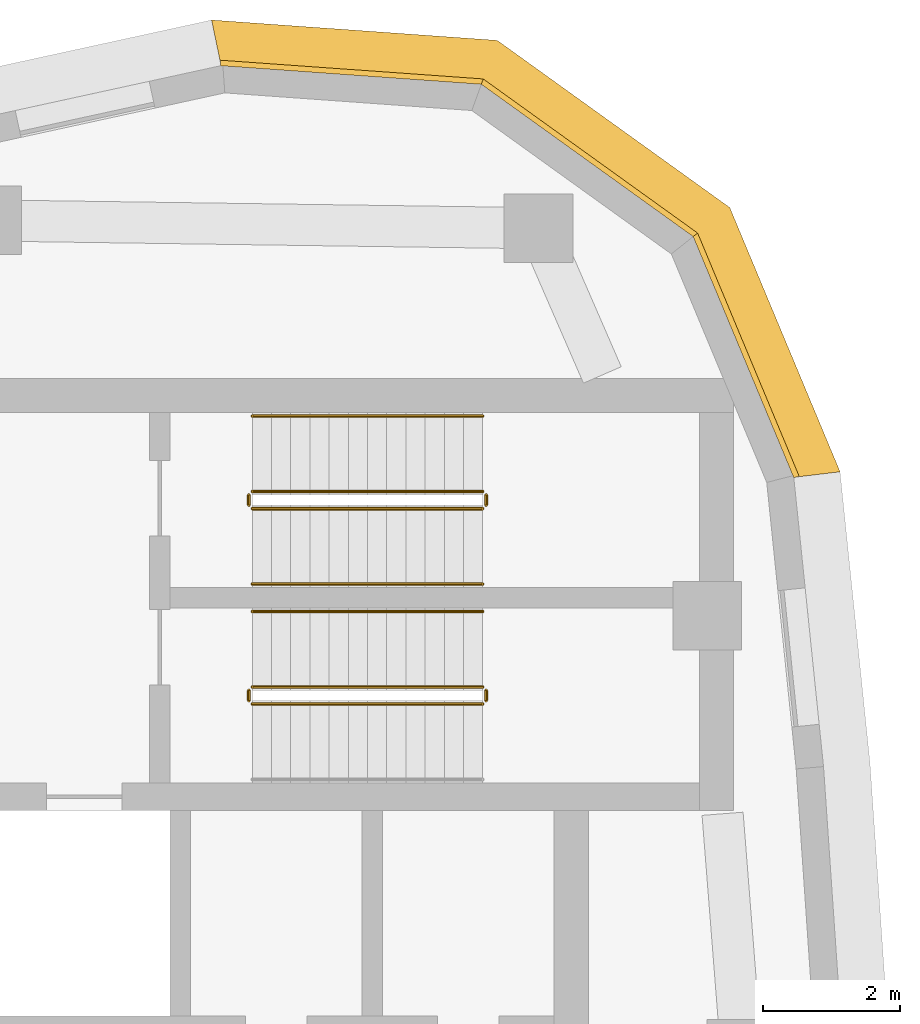
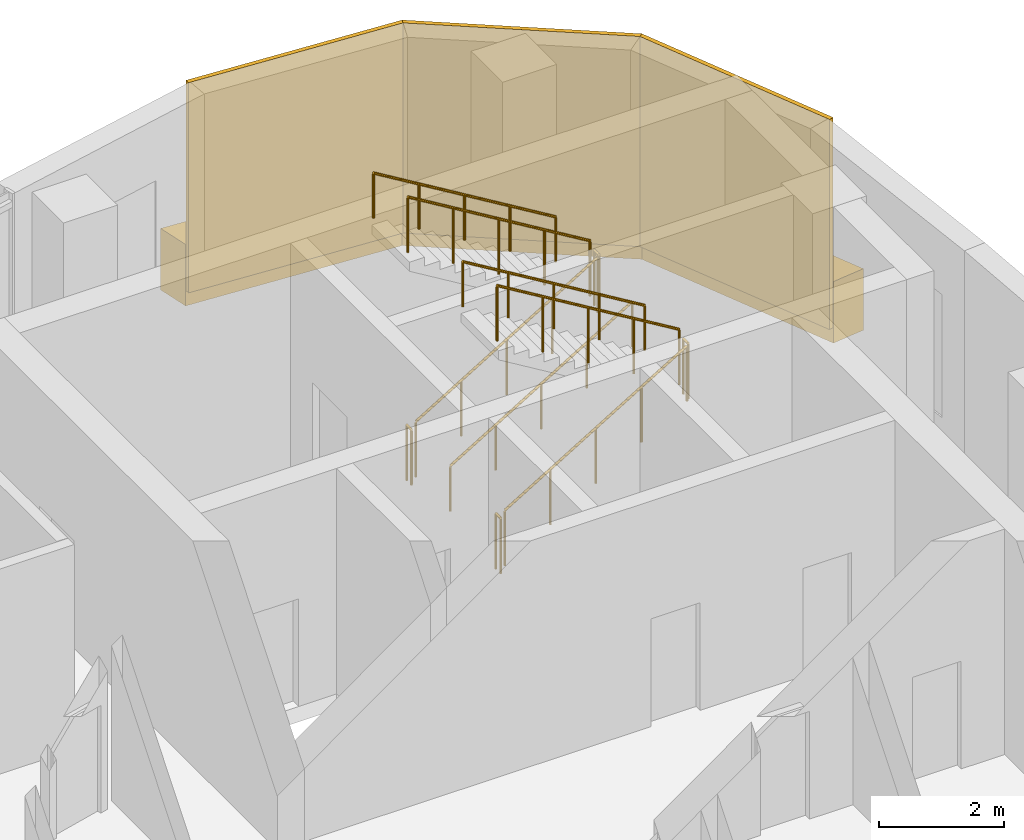
# One storey, part 14 of 15: 11 railings, 4 coverings.
"""IFC4 building model written with IfcOpenShell, lengths in metres."""

from ifc_helpers import new_model, si_unit, direction, frame, origin, origin_2d, place, context, subcontext, project, spatial, polyline, circle, outline, extrude, material, layer, layer_set, type_object, element, save


model = new_model("IFC4")

# Units and contexts
model_context = context("Model", 3, precision=1e-05, world=origin(), true_north=direction((0.0, 1.0)))
body_context = subcontext(model_context, "Body", "Model", "MODEL_VIEW")
ifc_project = project(units=[si_unit("LENGTHUNIT", "METRE"), si_unit("AREAUNIT", "SQUARE_METRE"), si_unit("VOLUMEUNIT", "CUBIC_METRE"), si_unit("PLANEANGLEUNIT", "RADIAN"), si_unit("MASSUNIT", "GRAM", prefix="KILO")], contexts=[model_context])

# Site, building, storey
site_placement = place(None, origin())
site = spatial("IfcSite", under=ifc_project, at=site_placement, CompositionType="ELEMENT")
building_placement = place(site_placement, origin())
building = spatial("IfcBuilding", under=site, at=building_placement, Name="Ostrand Prow Hotel Tower", CompositionType="ELEMENT")
storey_placement = place(building_placement, frame((0.0, 0.0, 318.60009765625)))
storey = spatial("IfcBuildingStorey", under=building, at=storey_placement, Name="C3", CompositionType="ELEMENT", Elevation=318.60009765625)

# Covering
ifc_material_1 = material(Name="Bronze anodised aluminium cladding", Category="aluminium")
ifc_layer_1 = layer(ifc_material_1, 0.60009765625)
ifc_layer_set_1 = layer_set([ifc_layer_1], Name="Bronze anodised aluminium cladding")
covering_type_1 = type_object("IfcCoveringType", Name="Bronze spandrel band 1200x600", PredefinedType="CLADDING", material=ifc_layer_set_1)
covering_1_placement = place(storey_placement, frame((0.0, 0.0, -0.300048828125)))
element("IfcCovering", 1, at=covering_1_placement, inside=storey, type_object=covering_type_1, Name="Spandrel band back 4", PredefinedType="CLADDING", context=body_context, shape_type="SweptSolid", body=[
    extrude(outline(polyline([(65.77197265625, 14.887451171875), (64.162841796875, 18.741455078125), (60.771728515625, 21.17919921875), (56.606201171875, 21.476318359375), (56.72802734375, 20.888916015625), (60.567626953125, 20.614990234375), (63.693115234375, 18.3681640625), (65.17626953125, 14.81591796875), (65.77197265625, 14.887451171875)])), origin(), (0.0, 0.0, 1.0), 1.199951171875),
])

# Railings
ifc_material_2 = material(Name="Painted steel", Category="steel")
railing_type_1 = type_object("IfcRailingType", Name="Stair guard 1100", PredefinedType="GUARDRAIL", material=ifc_material_2)
railing_1_placement = place(storey_placement, frame((57.199951171875, 11.5, 0.169189453125)))
element("IfcRailing", 2, at=railing_1_placement, inside=storey, type_object=railing_type_1, Name="C3 ST1C stair guard 1", PredefinedType="GUARDRAIL", context=body_context, shape_type="SweptSolid", body=[
    extrude(circle(Radius=0.02392578125, at=origin_2d()), frame((0.0, 0.0, 1.076171875), z_axis=(0.855836976705, 0.0, 0.517245656632), x_axis=(0.0, 1.0, 0.0)), (0.0, 0.0, 1.0), 3.926025390625),
    extrude(circle(Radius=0.02099609375, at=origin_2d()), origin(), (0.0, 0.0, 1.0), 1.052001953125),
    extrude(circle(Radius=0.02099609375, at=origin_2d()), frame((0.840087890625, 0.0, 0.5078125)), (0.0, 0.0, 1.0), 1.052001953125),
    extrude(circle(Radius=0.02099609375, at=origin_2d()), frame((1.68017578125, 0.0, 1.015380859375)), (0.0, 0.0, 1.0), 1.052001953125),
    extrude(circle(Radius=0.02099609375, at=origin_2d()), frame((2.52001953125, 0.0, 1.52294921875)), (0.0, 0.0, 1.0), 1.052001953125),
    extrude(circle(Radius=0.02099609375, at=origin_2d()), frame((3.360107421875, 0.0, 2.03076171875)), (0.0, 0.0, 1.0), 1.052001953125),
])
railing_2_placement = place(storey_placement, frame((60.610107421875, 11.550048828125, 2.199951171875)))
element("IfcRailing", 3, at=railing_2_placement, inside=storey, type_object=railing_type_1, Name="C3 ST1C stair guard 2", PredefinedType="GUARDRAIL", context=body_context, shape_type="SweptSolid", body=[
    extrude(circle(Radius=0.02392578125, at=origin_2d()), frame((0.0, 0.0, 1.076171875), z_axis=(0.0, 1.0, 0.0), x_axis=(-1.0, 0.0, 0.0)), (0.0, 0.0, 1.0), 0.14990234375),
    extrude(circle(Radius=0.02099609375, at=origin_2d()), origin(), (0.0, 0.0, 1.0), 1.052001953125),
    extrude(circle(Radius=0.02099609375, at=origin_2d()), frame((0.0, 0.14990234375, 0.0)), (0.0, 0.0, 1.0), 1.052001953125),
])
railing_3_placement = place(storey_placement, frame((60.56005859375, 11.75, 2.369140625)))
element("IfcRailing", 4, at=railing_3_placement, inside=storey, type_object=railing_type_1, Name="C3 ST1C stair guard 3", PredefinedType="GUARDRAIL", context=body_context, shape_type="SweptSolid", body=[
    extrude(circle(Radius=0.02392578125, at=origin_2d()), frame((0.0, 0.0, 1.076171875), z_axis=(-0.855836976705, 0.0, 0.517245656632), x_axis=(0.0, -1.0, 0.0)), (0.0, 0.0, 1.0), 3.926025390625),
    extrude(circle(Radius=0.02099609375, at=origin_2d()), origin(), (0.0, 0.0, 1.0), 1.052001953125),
    extrude(circle(Radius=0.02099609375, at=origin_2d()), frame((-0.840087890625, 0.0, 0.5078125)), (0.0, 0.0, 1.0), 1.052001953125),
    extrude(circle(Radius=0.02099609375, at=origin_2d()), frame((-1.68017578125, 0.0, 1.015380859375)), (0.0, 0.0, 1.0), 1.052001953125),
    extrude(circle(Radius=0.02099609375, at=origin_2d()), frame((-2.52001953125, 0.0, 1.52294921875)), (0.0, 0.0, 1.0), 1.052001953125),
    extrude(circle(Radius=0.02099609375, at=origin_2d()), frame((-3.360107421875, 0.0, 2.03076171875)), (0.0, 0.0, 1.0), 1.052001953125),
])
railing_4_placement = place(storey_placement, frame((57.14990234375, 11.550048828125, 0.0)))
element("IfcRailing", 5, at=railing_4_placement, inside=storey, type_object=railing_type_1, Name="C3 ST1C stair guard 4", PredefinedType="GUARDRAIL", context=body_context, shape_type="SweptSolid", body=[
    extrude(circle(Radius=0.02392578125, at=origin_2d()), frame((0.0, 0.0, 1.076171875), z_axis=(0.0, 1.0, 0.0), x_axis=(-1.0, 0.0, 0.0)), (0.0, 0.0, 1.0), 0.14990234375),
    extrude(circle(Radius=0.02099609375, at=origin_2d()), origin(), (0.0, 0.0, 1.0), 1.052001953125),
    extrude(circle(Radius=0.02099609375, at=origin_2d()), frame((0.0, 0.14990234375, 0.0)), (0.0, 0.0, 1.0), 1.052001953125),
])
railing_5_placement = place(storey_placement, frame((57.199951171875, 14.35009765625, 0.169189453125)))
element("IfcRailing", 6, at=railing_5_placement, inside=storey, type_object=railing_type_1, Name="C3 ST3C stair guard 1", PredefinedType="GUARDRAIL", context=body_context, shape_type="SweptSolid", body=[
    extrude(circle(Radius=0.02392578125, at=origin_2d()), frame((0.0, 0.0, 1.076171875), z_axis=(0.855836976705, 0.0, 0.517245656632), x_axis=(0.0, 1.0, 0.0)), (0.0, 0.0, 1.0), 3.926025390625),
    extrude(circle(Radius=0.02099609375, at=origin_2d()), origin(), (0.0, 0.0, 1.0), 1.052001953125),
    extrude(circle(Radius=0.02099609375, at=origin_2d()), frame((0.840087890625, 0.0, 0.5078125)), (0.0, 0.0, 1.0), 1.052001953125),
    extrude(circle(Radius=0.02099609375, at=origin_2d()), frame((1.68017578125, 0.0, 1.015380859375)), (0.0, 0.0, 1.0), 1.052001953125),
    extrude(circle(Radius=0.02099609375, at=origin_2d()), frame((2.52001953125, 0.0, 1.52294921875)), (0.0, 0.0, 1.0), 1.052001953125),
    extrude(circle(Radius=0.02099609375, at=origin_2d()), frame((3.360107421875, 0.0, 2.03076171875)), (0.0, 0.0, 1.0), 1.052001953125),
])
railing_6_placement = place(storey_placement, frame((60.610107421875, 14.39990234375, 2.199951171875)))
element("IfcRailing", 7, at=railing_6_placement, inside=storey, type_object=railing_type_1, Name="C3 ST3C stair guard 2", PredefinedType="GUARDRAIL", context=body_context, shape_type="SweptSolid", body=[
    extrude(circle(Radius=0.02392578125, at=origin_2d()), frame((0.0, 0.0, 1.076171875), z_axis=(0.0, 1.0, 0.0), x_axis=(-1.0, 0.0, 0.0)), (0.0, 0.0, 1.0), 0.150146484375),
    extrude(circle(Radius=0.02099609375, at=origin_2d()), origin(), (0.0, 0.0, 1.0), 1.052001953125),
    extrude(circle(Radius=0.02099609375, at=origin_2d()), frame((0.0, 0.150146484375, 0.0)), (0.0, 0.0, 1.0), 1.052001953125),
])
railing_7_placement = place(storey_placement, frame((60.56005859375, 14.60009765625, 2.369140625)))
element("IfcRailing", 8, at=railing_7_placement, inside=storey, type_object=railing_type_1, Name="C3 ST3C stair guard 3", PredefinedType="GUARDRAIL", context=body_context, shape_type="SweptSolid", body=[
    extrude(circle(Radius=0.02392578125, at=origin_2d()), frame((0.0, 0.0, 1.076171875), z_axis=(-0.855836976705, 0.0, 0.517245656632), x_axis=(0.0, -1.0, 0.0)), (0.0, 0.0, 1.0), 3.926025390625),
    extrude(circle(Radius=0.02099609375, at=origin_2d()), origin(), (0.0, 0.0, 1.0), 1.052001953125),
    extrude(circle(Radius=0.02099609375, at=origin_2d()), frame((-0.840087890625, 0.0, 0.5078125)), (0.0, 0.0, 1.0), 1.052001953125),
    extrude(circle(Radius=0.02099609375, at=origin_2d()), frame((-1.68017578125, 0.0, 1.015380859375)), (0.0, 0.0, 1.0), 1.052001953125),
    extrude(circle(Radius=0.02099609375, at=origin_2d()), frame((-2.52001953125, 0.0, 1.52294921875)), (0.0, 0.0, 1.0), 1.052001953125),
    extrude(circle(Radius=0.02099609375, at=origin_2d()), frame((-3.360107421875, 0.0, 2.03076171875)), (0.0, 0.0, 1.0), 1.052001953125),
])
railing_8_placement = place(storey_placement, frame((57.14990234375, 14.39990234375, 0.0)))
element("IfcRailing", 9, at=railing_8_placement, inside=storey, type_object=railing_type_1, Name="C3 ST3C stair guard 4", PredefinedType="GUARDRAIL", context=body_context, shape_type="SweptSolid", body=[
    extrude(circle(Radius=0.02392578125, at=origin_2d()), frame((0.0, 0.0, 1.076171875), z_axis=(0.0, 1.0, 0.0), x_axis=(-1.0, 0.0, 0.0)), (0.0, 0.0, 1.0), 0.150146484375),
    extrude(circle(Radius=0.02099609375, at=origin_2d()), origin(), (0.0, 0.0, 1.0), 1.052001953125),
    extrude(circle(Radius=0.02099609375, at=origin_2d()), frame((0.0, 0.150146484375, 0.0)), (0.0, 0.0, 1.0), 1.052001953125),
])
ifc_material_3 = material(Name="Stainless steel", Category="steel")
railing_type_2 = type_object("IfcRailingType", Name="Stair handrail 900", PredefinedType="HANDRAIL", material=ifc_material_3)
railing_9_placement = place(storey_placement, frame((60.56005859375, 12.85009765625, 2.369140625)))
element("IfcRailing", 10, at=railing_9_placement, inside=storey, type_object=railing_type_2, Name="C3 ST1C stair handrail 2", PredefinedType="HANDRAIL", context=body_context, shape_type="SweptSolid", body=[
    extrude(circle(Radius=0.02392578125, at=origin_2d()), frame((0.0, 0.0, 0.8759765625), z_axis=(-0.855836976705, 0.0, 0.517245656632), x_axis=(0.0, -1.0, 0.0)), (0.0, 0.0, 1.0), 3.926025390625),
    extrude(circle(Radius=0.02099609375, at=origin_2d()), origin(), (0.0, 0.0, 1.0), 0.851806640625),
    extrude(circle(Radius=0.02099609375, at=origin_2d()), frame((-0.840087890625, 0.0, 0.5078125)), (0.0, 0.0, 1.0), 0.851806640625),
    extrude(circle(Radius=0.02099609375, at=origin_2d()), frame((-1.68017578125, 0.0, 1.015380859375)), (0.0, 0.0, 1.0), 0.851806640625),
    extrude(circle(Radius=0.02099609375, at=origin_2d()), frame((-2.52001953125, 0.0, 1.52294921875)), (0.0, 0.0, 1.0), 0.851806640625),
    extrude(circle(Radius=0.02099609375, at=origin_2d()), frame((-3.360107421875, 0.0, 2.03076171875)), (0.0, 0.0, 1.0), 0.851806640625),
])
railing_10_placement = place(storey_placement, frame((57.199951171875, 13.25, 0.169189453125)))
element("IfcRailing", 11, at=railing_10_placement, inside=storey, type_object=railing_type_2, Name="C3 ST3C stair handrail 1", PredefinedType="HANDRAIL", context=body_context, shape_type="SweptSolid", body=[
    extrude(circle(Radius=0.02392578125, at=origin_2d()), frame((0.0, 0.0, 0.8759765625), z_axis=(0.855836976705, 0.0, 0.517245656632), x_axis=(0.0, 1.0, 0.0)), (0.0, 0.0, 1.0), 3.926025390625),
    extrude(circle(Radius=0.02099609375, at=origin_2d()), origin(), (0.0, 0.0, 1.0), 0.851806640625),
    extrude(circle(Radius=0.02099609375, at=origin_2d()), frame((0.840087890625, 0.0, 0.5078125)), (0.0, 0.0, 1.0), 0.851806640625),
    extrude(circle(Radius=0.02099609375, at=origin_2d()), frame((1.68017578125, 0.0, 1.015380859375)), (0.0, 0.0, 1.0), 0.851806640625),
    extrude(circle(Radius=0.02099609375, at=origin_2d()), frame((2.52001953125, 0.0, 1.52294921875)), (0.0, 0.0, 1.0), 0.851806640625),
    extrude(circle(Radius=0.02099609375, at=origin_2d()), frame((3.360107421875, 0.0, 2.03076171875)), (0.0, 0.0, 1.0), 0.851806640625),
])
railing_11_placement = place(storey_placement, frame((60.56005859375, 15.699951171875, 2.369140625)))
element("IfcRailing", 12, at=railing_11_placement, inside=storey, type_object=railing_type_2, Name="C3 ST3C stair handrail 2", PredefinedType="HANDRAIL", context=body_context, shape_type="SweptSolid", body=[
    extrude(circle(Radius=0.02392578125, at=origin_2d()), frame((0.0, 0.0, 0.8759765625), z_axis=(-0.855836976705, 0.0, 0.517245656632), x_axis=(0.0, -1.0, 0.0)), (0.0, 0.0, 1.0), 3.926025390625),
    extrude(circle(Radius=0.02099609375, at=origin_2d()), origin(), (0.0, 0.0, 1.0), 0.851806640625),
    extrude(circle(Radius=0.02099609375, at=origin_2d()), frame((-0.840087890625, 0.0, 0.5078125)), (0.0, 0.0, 1.0), 0.851806640625),
    extrude(circle(Radius=0.02099609375, at=origin_2d()), frame((-1.68017578125, 0.0, 1.015380859375)), (0.0, 0.0, 1.0), 0.851806640625),
    extrude(circle(Radius=0.02099609375, at=origin_2d()), frame((-2.52001953125, 0.0, 1.52294921875)), (0.0, 0.0, 1.0), 0.851806640625),
    extrude(circle(Radius=0.02099609375, at=origin_2d()), frame((-3.360107421875, 0.0, 2.03076171875)), (0.0, 0.0, 1.0), 0.851806640625),
])

# Coverings
ifc_material_4 = material(Name="Limestone cladding", Category="masonry")
ifc_layer_2 = layer(ifc_material_4, 0.080078125)
ifc_layer_set_2 = layer_set([ifc_layer_2], Name="Limestone cladding")
covering_type_2 = type_object("IfcCoveringType", Name="Warm limestone cladding 80 mm", PredefinedType="CLADDING", material=ifc_layer_set_2)
covering_2_placement = place(storey_placement, frame((65.136474609375, 14.811279296875, 0.0), z_axis=(0.0, 0.0, 1.0), x_axis=(-0.385272026688, 0.922803048029, 0.0)))
element("IfcCovering", 13, at=covering_2_placement, inside=storey, type_object=covering_type_2, Name="Limestone cladding back 12", PredefinedType="CLADDING", context=body_context, shape_type="SweptSolid", body=[
    extrude(outline(polyline([(-0.005859375, -0.0400390625), (3.838623046875, -0.0400390625), (3.816162109375, 0.0400390625), (0.005859375, 0.0400390625), (-0.005859375, -0.0400390625)])), origin(), (0.0, 0.0, 1.0), 4.099853515625),
])
covering_3_placement = place(storey_placement, frame((63.661865234375, 18.34326171875, 0.0), z_axis=(0.0, 0.0, 1.0), x_axis=(-0.811975694159, 0.583691247231, 0.0)))
element("IfcCovering", 14, at=covering_3_placement, inside=storey, type_object=covering_type_2, Name="Limestone cladding back 13", PredefinedType="CLADDING", context=body_context, shape_type="SweptSolid", body=[
    extrude(outline(polyline([(-0.01123046875, -0.0400390625), (3.8388671875, -0.0400390625), (3.81640625, 0.0400390625), (0.01123046875, 0.0400390625), (-0.01123046875, -0.0400390625)])), origin(), (0.0, 0.0, 1.0), 4.099853515625),
])
covering_4_placement = place(storey_placement, frame((60.553955078125, 20.577392578125, 0.0), z_axis=(0.0, 0.0, 1.0), x_axis=(-0.997463230726, 0.071183589045, 0.0)))
element("IfcCovering", 15, at=covering_4_placement, inside=storey, type_object=covering_type_2, Name="Limestone cladding back 14", PredefinedType="CLADDING", context=body_context, shape_type="SweptSolid", body=[
    extrude(outline(polyline([(-0.01123046875, -0.0400390625), (3.83349609375, -0.0400390625), (3.82177734375, 0.0400390625), (0.01123046875, 0.0400390625), (-0.01123046875, -0.0400390625)])), origin(), (0.0, 0.0, 1.0), 4.099853515625),
])

save(model, "model.ifc")
